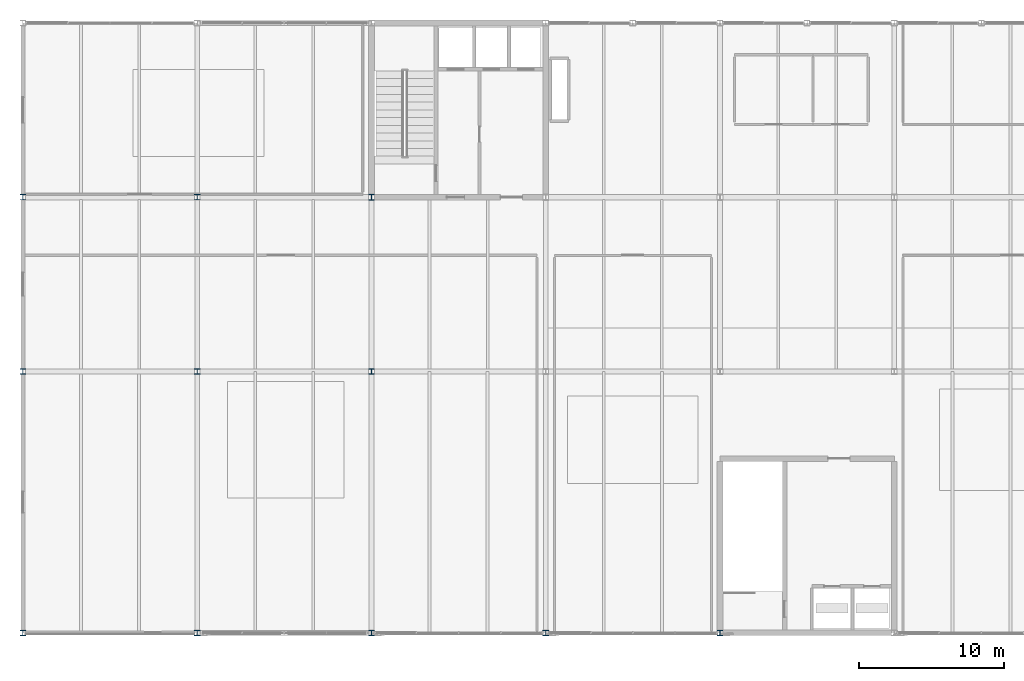
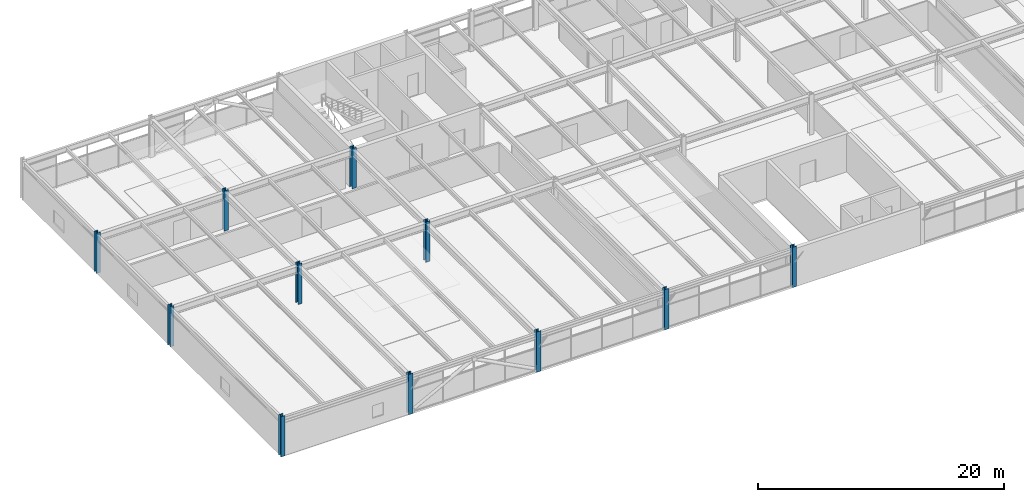
# One storey, part 1 of 52: 11 columns.
"""IFC4 building model written with IfcOpenShell, lengths in metres."""

import ifcopenshell
import ifcopenshell.guid

model = None  # the IFC model being written
_history = None  # IfcOwnerHistory: only IFC2X3 demands one
_inside = {}  # id of a spatial element -> (the spatial element, [elements in it])
_under = {}  # id of a project, library or spatial element -> (it, [spatial elements below it])
_declared = {}  # id of a project -> (the project, [libraries it declares])
_typed = {}  # id of a type object -> (the type object, [elements of that type])
_made_of = {}  # id of a material, layer set ... -> (it, [elements and type objects made of it])


def new_model(schema):
    """Start an empty IFC model of exactly this schema.

    Asked for "IFC4X3", IfcOpenShell would pick the latest addendum, in which some entities
    have other attributes; the version numbers below select the first issue.
    IFC2X3 requires an IfcOwnerHistory on every rooted entity: one is made here for all.
    """
    global model, _history
    if schema == "IFC4X3":
        model = ifcopenshell.file(schema_version=(4, 3, 0, 0))
    else:
        model = ifcopenshell.file(schema=schema)
    _inside.clear()
    _under.clear()
    _declared.clear()
    _typed.clear()
    _made_of.clear()
    _history = None
    if model.schema == "IFC2X3":
        org = make("IfcOrganization", Name="unknown")
        user = make(
            "IfcPersonAndOrganization",
            ThePerson=make("IfcPerson", FamilyName="unknown"),
            TheOrganization=org,
        )
        app = make(
            "IfcApplication",
            ApplicationDeveloper=org,
            Version="unknown",
            ApplicationFullName="unknown",
            ApplicationIdentifier="unknown",
        )
        _history = make(
            "IfcOwnerHistory",
            OwningUser=user,
            OwningApplication=app,
            ChangeAction="ADDED",
            CreationDate=0,
        )
    return model


def make(cls, **values):
    """One entity of the class cls with the attributes given. An attribute that is None is left unset."""
    return model.create_entity(
        cls, **{name: value for name, value in values.items() if value is not None}
    )


def rooted(cls, **values):
    """An entity with a GlobalId (a new one), such as an element, a storey or a relation."""
    return make(cls, GlobalId=ifcopenshell.guid.new(), OwnerHistory=_history, **values)


def si_unit(unit_type, name, prefix=None):
    """IfcSIUnit, for example si_unit("LENGTHUNIT", "METRE", prefix="MILLI")."""
    return make("IfcSIUnit", UnitType=unit_type, Prefix=prefix, Name=name)


def assignment(units):
    """IfcUnitAssignment: the units of a project."""
    return None if units is None else make("IfcUnitAssignment", Units=units)


def point(xyz):
    """IfcCartesianPoint."""
    return None if xyz is None else make("IfcCartesianPoint", Coordinates=xyz)


def direction(xyz):
    """IfcDirection."""
    return None if xyz is None else make("IfcDirection", DirectionRatios=xyz)


def frame(location, z_axis=None, x_axis=None):
    """IfcAxis2Placement3D, a coordinate frame: its origin and axes. An axis left out is left unset."""
    return make(
        "IfcAxis2Placement3D",
        Location=point(location),
        Axis=direction(z_axis),
        RefDirection=direction(x_axis),
    )


def frame_2d(location, x_axis=None):
    """IfcAxis2Placement2D, a coordinate frame in the plane: its origin and x axis."""
    return make(
        "IfcAxis2Placement2D", Location=point(location), RefDirection=direction(x_axis)
    )


def origin():
    """The frame at (0, 0, 0) with its axes left unset."""
    return frame((0.0, 0.0, 0.0))


def origin_2d():
    """The frame at (0, 0) in the plane with its x axis left unset."""
    return frame_2d((0.0, 0.0))


def place(relative_to, where):
    """IfcLocalPlacement: puts the frame where relative to a parent placement (None: the world)."""
    return make(
        "IfcLocalPlacement", PlacementRelTo=relative_to, RelativePlacement=where
    )


def context(
    kind, dimensions, precision=None, world=None, true_north=None, identifier=None
):
    """IfcGeometricRepresentationContext, for example the 3D "Model" context."""
    return make(
        "IfcGeometricRepresentationContext",
        ContextIdentifier=identifier,
        ContextType=kind,
        CoordinateSpaceDimension=dimensions,
        Precision=precision,
        WorldCoordinateSystem=world,
        TrueNorth=true_north,
    )


def subcontext(parent, identifier, kind, view, scale=None):
    """IfcGeometricRepresentationSubContext, for example "Body" below "Model"."""
    return make(
        "IfcGeometricRepresentationSubContext",
        ContextIdentifier=identifier,
        ContextType=kind,
        ParentContext=parent,
        TargetScale=scale,
        TargetView=view,
    )


def project(units=None, contexts=None):
    """IfcProject with its units and contexts."""
    return rooted(
        "IfcProject",
        Name="project",
        RepresentationContexts=contexts,
        UnitsInContext=assignment(units),
    )


def spatial(cls, under=None, at=None, **own):
    """A site, building, storey or space (cls), placed at a placement, below another one or the project."""
    s = rooted(cls, ObjectPlacement=at, **own)
    if under is not None:
        _under.setdefault(under.id(), (under, []))[1].append(s)
    return s


def profile(cls, at=None, kind="AREA", **sizes):
    """A parametric profile (cls). Its sizes go by their IFC names, for example OverallWidth=200.0."""
    return make(cls, ProfileType=kind, Position=at, **sizes)


def i_section(**sizes):
    """IfcIShapeProfileDef."""
    return profile("IfcIShapeProfileDef", **sizes)


def extrude(swept, where, along, depth):
    """IfcExtrudedAreaSolid: the profile swept, set in the frame where, extruded along a direction by depth."""
    return make(
        "IfcExtrudedAreaSolid",
        SweptArea=swept,
        Position=where,
        ExtrudedDirection=direction(along),
        Depth=depth,
    )


def shape(context_of_items, identifier, shape_type, items):
    """IfcShapeRepresentation: the items that make up one representation, for example the "Body"."""
    return make(
        "IfcShapeRepresentation",
        ContextOfItems=context_of_items,
        RepresentationIdentifier=identifier,
        RepresentationType=shape_type,
        Items=items,
    )


def material(Name=None, Category=None):
    """IfcMaterial."""
    return make("IfcMaterial", Name=Name, Category=Category)


def material_profile(
    of_material, cross_section, Name=None, Category=None, Priority=None
):
    """IfcMaterialProfile: a cross section and its material."""
    return make(
        "IfcMaterialProfile",
        Name=Name,
        Material=of_material,
        Profile=cross_section,
        Priority=Priority,
        Category=Category,
    )


def profile_set(profiles, Name=None, composite=None):
    """IfcMaterialProfileSet."""
    return make(
        "IfcMaterialProfileSet",
        Name=Name,
        MaterialProfiles=profiles,
        CompositeProfile=composite,
    )


def made_of(thing, what):
    """Note that an element or type object is made of a material, layer set ...; save() writes the relation."""
    if what is not None:
        _made_of.setdefault(what.id(), (what, []))[1].append(thing)
    return thing


def type_object(cls, material=None, **own):
    """A type object (cls), such as IfcWallType, which elements share."""
    return made_of(rooted(cls, **own), material)


def element(
    cls,
    number,
    at=None,
    inside=None,
    cuts=None,
    type_object=None,
    material=None,
    context=None,
    identifier="Body",
    shape_type=None,
    held_by="IfcProductDefinitionShape",
    body=None,
    shapes=None,
    **own,
):
    """One element of the class cls, such as IfcWall. Its Tag is "e" and its number.

    at: its placement. inside: the storey or other place that contains it. cuts: it is an
    opening in that element (IfcRelVoidsElement). A single representation is given by context,
    identifier, shape_type and body (its items); several are given by shapes. held_by: the class
    of the entity that holds the representations. save() writes the other relations.
    """
    e = rooted(cls, Tag="e%d" % number, ObjectPlacement=at, **own)
    if body is not None:
        shapes = [shape(context, identifier, shape_type, body)]
    if shapes is not None:
        e.Representation = make(held_by, Representations=shapes)
    if inside is not None:
        _inside.setdefault(inside.id(), (inside, []))[1].append(e)
    if cuts is not None:
        rooted(
            "IfcRelVoidsElement", RelatingBuildingElement=cuts, RelatedOpeningElement=e
        )
    if type_object is not None:
        _typed.setdefault(type_object.id(), (type_object, []))[1].append(e)
    return made_of(e, material)


def aggregate(whole, parts):
    """IfcRelAggregates: a whole, such as a stair, and the parts it consists of."""
    return rooted("IfcRelAggregates", RelatingObject=whole, RelatedObjects=parts)


def save(model, path):
    """Write the relations noted so far, then the file.

    IfcRelAggregates (storeys below a building ...), IfcRelContainedInSpatialStructure (elements
    in a storey), IfcRelDefinesByType, IfcRelAssociatesMaterial and IfcRelDeclares: one each for
    every whole, place, type object, material and project.
    """
    for whole, parts in _under.values():
        aggregate(whole, parts)
    for where, things in _inside.values():
        rooted(
            "IfcRelContainedInSpatialStructure",
            RelatedElements=things,
            RelatingStructure=where,
        )
    for kind, things in _typed.values():
        rooted("IfcRelDefinesByType", RelatedObjects=things, RelatingType=kind)
    for what, things in _made_of.values():
        rooted("IfcRelAssociatesMaterial", RelatedObjects=things, RelatingMaterial=what)
    for by, libraries in _declared.values():
        rooted("IfcRelDeclares", RelatingContext=by, RelatedDefinitions=libraries)
    model.write(path)


model = new_model("IFC4")

# Units and contexts
model_context = context("Model", 3, precision=1e-05, world=origin(), true_north=direction((0.0, 1.0)))
body_context = subcontext(model_context, "Body", "Model", "MODEL_VIEW")
ifc_project = project(units=[si_unit("LENGTHUNIT", "METRE"), si_unit("AREAUNIT", "SQUARE_METRE"), si_unit("VOLUMEUNIT", "CUBIC_METRE"), si_unit("PLANEANGLEUNIT", "RADIAN"), si_unit("MASSUNIT", "GRAM", prefix="KILO")], contexts=[model_context])

# Site, building, storey
site_placement = place(None, origin())
site = spatial("IfcSite", under=ifc_project, at=site_placement, CompositionType="ELEMENT")
building_placement = place(site_placement, origin())
building = spatial("IfcBuilding", under=site, at=building_placement, Name="Girod Span Mobility Hub", CompositionType="ELEMENT")
storey_placement = place(building_placement, frame((0.0, 0.0, 45.60009765625)))
storey = spatial("IfcBuildingStorey", under=building, at=storey_placement, Name="L11", CompositionType="ELEMENT", Elevation=45.60009765625)

# Columns
ifc_material_1 = material(Name="Steel A992 Grade 50", Category="steel")
ifc_material_profile_1 = material_profile(ifc_material_1, i_section(OverallWidth=0.39404296875, OverallDepth=0.375, WebThickness=0.017333984375, FlangeThickness=0.027587890625, FilletRadius=0.01806640625, at=origin_2d()), Name="W14X145")
ifc_profile_set_1 = profile_set([ifc_material_profile_1], Name="Steel A992 Grade 50")
column_type_1 = type_object("IfcColumnType", Name="COL-STL-W14X145", PredefinedType="COLUMN", material=ifc_profile_set_1)
for number, where, z_axis, x_axis, name in (
    (1, (24.0, 27.0, 0.0), (0.0, 0.0, 1.0), (1.0, 0.0, 0.0), "Column 3C L11"),
    (2, (24.0, 45.0, 0.0), (0.0, 0.0, 1.0), (1.0, 0.0, 0.0), "Column 3D L11"),
    (3, (24.0, 57.0, 0.0), (0.0, 0.0, 1.0), (1.0, 0.0, 0.0), "Column 3E L11"),
    (4, (36.0, 27.0, 0.0), (0.0, 0.0, 1.0), (1.0, 0.0, 0.0), "Column 4C L11"),
    (5, (36.0, 45.0, 0.0), (0.0, 0.0, 1.0), (1.0, 0.0, 0.0), "Column 4D L11"),
    (6, (36.0, 57.0, 0.0), (0.0, 0.0, 1.0), (1.0, 0.0, 0.0), "Column 4E L11"),
    (7, (48.0, 27.0, 0.0), (0.0, 0.0, 1.0), (1.0, 0.0, 0.0), "Column 5C L11"),
    (8, (60.0, 27.0, 0.0), (0.0, 0.0, 1.0), (1.0, 0.0, 0.0), "Column 6C L11"),
    (9, (72.0, 27.0, 0.0), (0.0, 0.0, 1.0), (1.0, 0.0, 0.0), "Column 7C L11"),
):
    element("IfcColumn", number, at=place(storey_placement, frame(where, z_axis=z_axis, x_axis=x_axis)), inside=storey, type_object=column_type_1, Name=name, PredefinedType="COLUMN", context=body_context, shape_type="SweptSolid", body=[
        extrude(i_section(OverallWidth=0.39404296875, OverallDepth=0.375, WebThickness=0.017333984375, FlangeThickness=0.027587890625, FilletRadius=0.01806640625, at=origin_2d()), origin(), (0.0, 0.0, 1.0), 4.0),
    ])
ifc_material_2 = material(Name="Steel A992 Grade 50", Category="steel")
ifc_material_profile_2 = material_profile(ifc_material_2, i_section(OverallWidth=0.39892578125, OverallDepth=0.39306640625, WebThickness=0.022705078125, FlangeThickness=0.03662109375, FilletRadius=0.01806640625, at=origin_2d()), Name="W14X193")
ifc_profile_set_2 = profile_set([ifc_material_profile_2], Name="Steel A992 Grade 50")
column_type_2 = type_object("IfcColumnType", Name="COL-STL-W14X193", PredefinedType="COLUMN", material=ifc_profile_set_2)
for number, where, z_axis, x_axis, name in (
    (10, (48.0, 45.0, 0.0), (0.0, 0.0, 1.0), (1.0, 0.0, 0.0), "Column 5D L11"),
    (11, (48.0, 57.0, 0.0), (0.0, 0.0, 1.0), (1.0, 0.0, 0.0), "Column 5E L11"),
):
    element("IfcColumn", number, at=place(storey_placement, frame(where, z_axis=z_axis, x_axis=x_axis)), inside=storey, type_object=column_type_2, Name=name, PredefinedType="COLUMN", context=body_context, shape_type="SweptSolid", body=[
        extrude(i_section(OverallWidth=0.39892578125, OverallDepth=0.39306640625, WebThickness=0.022705078125, FlangeThickness=0.03662109375, FilletRadius=0.01806640625, at=origin_2d()), origin(), (0.0, 0.0, 1.0), 4.0),
    ])

save(model, "model.ifc")
